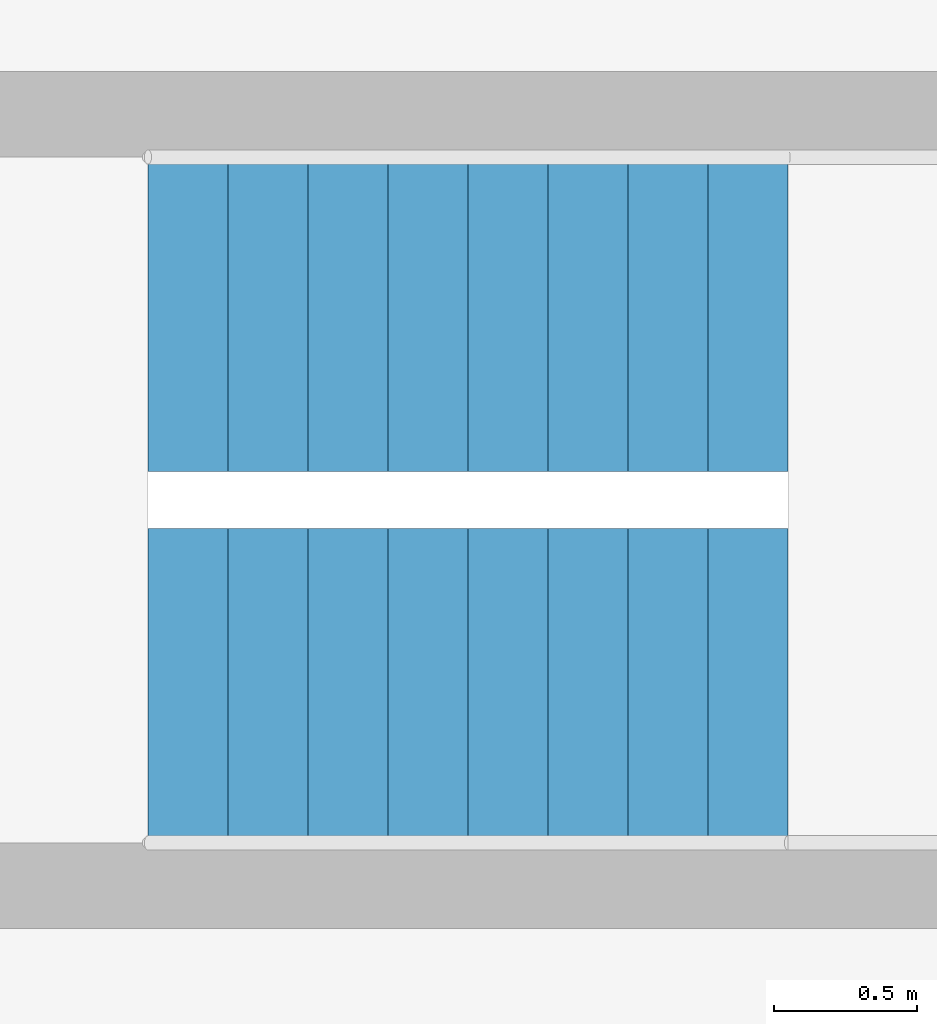
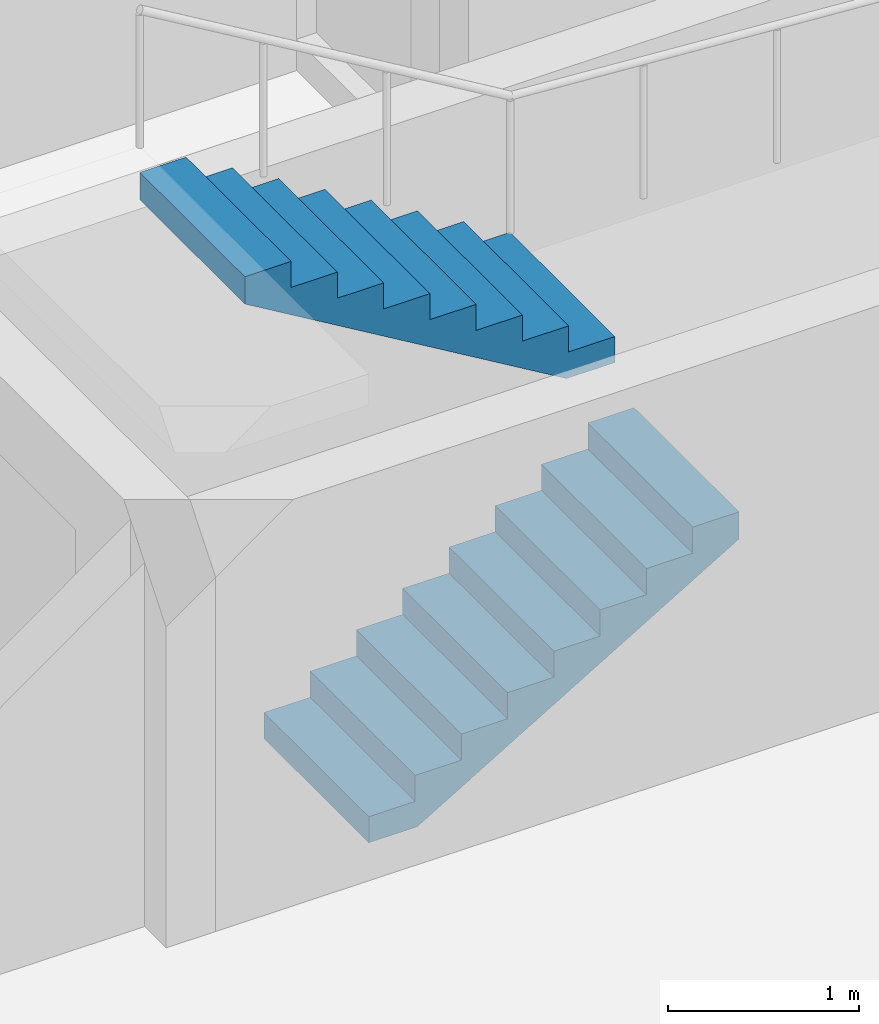
# One storey, part 10 of 12: 2 stair flights, 1 element without a shape of its own.
"""IFC4 building model written with IfcOpenShell, lengths in metres."""

from ifc_helpers import new_model, si_unit, direction, frame, origin, place, context, subcontext, project, spatial, polyline, outline, extrude, material, type_object, element, aggregate, save


model = new_model("IFC4")

# Units and contexts
model_context = context("Model", 3, precision=1e-05, world=origin(), true_north=direction((0.0, 1.0)))
body_context = subcontext(model_context, "Body", "Model", "MODEL_VIEW")
ifc_project = project(units=[si_unit("LENGTHUNIT", "METRE"), si_unit("AREAUNIT", "SQUARE_METRE"), si_unit("VOLUMEUNIT", "CUBIC_METRE"), si_unit("PLANEANGLEUNIT", "RADIAN"), si_unit("MASSUNIT", "GRAM", prefix="KILO")], contexts=[model_context])

# Site, building, storey
site_placement = place(None, origin())
site = spatial("IfcSite", under=ifc_project, at=site_placement, CompositionType="ELEMENT")
building_placement = place(site_placement, origin())
building = spatial("IfcBuilding", under=site, at=building_placement, Name="Fustian Cross Tower", CompositionType="ELEMENT")
storey_placement = place(building_placement, frame((0.0, 0.0, 132.300048828125)))
storey = spatial("IfcBuildingStorey", under=building, at=storey_placement, Name="L41", CompositionType="ELEMENT", Elevation=132.300048828125)

# Stair, stair flights
ifc_material_1 = material(Name="Concrete C50/60", Category="concrete")
stair_type = type_object("IfcStairType", Name="STAIR 1100 HALF TURN", PredefinedType="HALF_TURN_STAIR", material=ifc_material_1)
stair_placement = place(storey_placement, origin())
stair = element("IfcStair", 1, at=stair_placement, inside=storey, type_object=stair_type, Name="Stair ST8", PredefinedType="HALF_TURN_STAIR")
ifc_material_2 = material(Name="Concrete C50/60", Category="concrete")
stair_flight_type = type_object("IfcStairFlightType", Name="STAIR FLIGHT 1100", PredefinedType="STRAIGHT", material=ifc_material_2)
stair_flight_1_placement = place(storey_placement, frame((37.89990234375, -0.64990234375, 0.0), z_axis=(0.0, 0.0, 1.0), x_axis=(1.0, 0.0, 0.0)))
stair_flight_1 = element("IfcStairFlight", 2, at=stair_flight_1_placement, type_object=stair_flight_type, Name="ST8 flight 1", NumberOfRisers=9, NumberOfTreads=8, PredefinedType="STRAIGHT", RiserHeight=0.166666667, TreadLength=0.28, context=body_context, shape_type="SweptSolid", body=[
    extrude(outline(polyline([(0.0, 0.0), (0.0, 0.166748046875), (0.280029296875, 0.166748046875), (0.280029296875, 0.333251953125), (0.56005859375, 0.333251953125), (0.56005859375, 0.5), (0.840087890625, 0.5), (0.840087890625, 0.666748046875), (1.1201171875, 0.666748046875), (1.1201171875, 0.833251953125), (1.39990234375, 0.833251953125), (1.39990234375, 1.0), (1.679931640625, 1.0), (1.679931640625, 1.166748046875), (1.9599609375, 1.166748046875), (1.9599609375, 1.333251953125), (2.239990234375, 1.333251953125), (2.239990234375, 1.5), (2.239990234375, 1.158935546875), (0.29296875, 0.0), (0.0, 0.0)])), frame((0.0, 0.550048828125, 0.0), z_axis=(0.0, -1.0, 0.0), x_axis=(1.0, 0.0, 0.0)), (0.0, 0.0, 1.0), 1.10009765625),
])
stair_flight_2_placement = place(storey_placement, frame((40.139892578125, 0.64990234375, 1.5), z_axis=(0.0, 0.0, 1.0), x_axis=(-1.0, 0.0, 0.0)))
stair_flight_2 = element("IfcStairFlight", 3, at=stair_flight_2_placement, type_object=stair_flight_type, Name="ST8 flight 2", NumberOfRisers=9, NumberOfTreads=8, PredefinedType="STRAIGHT", RiserHeight=0.166666667, TreadLength=0.28, context=body_context, shape_type="SweptSolid", body=[
    extrude(outline(polyline([(0.0, 0.0), (0.0, 0.166748046875), (0.280029296875, 0.166748046875), (0.280029296875, 0.333251953125), (0.56005859375, 0.333251953125), (0.56005859375, 0.5), (0.840087890625, 0.5), (0.840087890625, 0.666748046875), (1.1201171875, 0.666748046875), (1.1201171875, 0.833251953125), (1.39990234375, 0.833251953125), (1.39990234375, 1.0), (1.679931640625, 1.0), (1.679931640625, 1.166748046875), (1.9599609375, 1.166748046875), (1.9599609375, 1.333251953125), (2.239990234375, 1.333251953125), (2.239990234375, 1.5), (2.239990234375, 1.158935546875), (0.29296875, 0.0), (0.0, 0.0)])), frame((0.0, 0.550048828125, 0.0), z_axis=(0.0, -1.0, 0.0), x_axis=(1.0, 0.0, 0.0)), (0.0, 0.0, 1.0), 1.10009765625),
])
aggregate(stair, [stair_flight_1, stair_flight_2])

save(model, "model.ifc")
